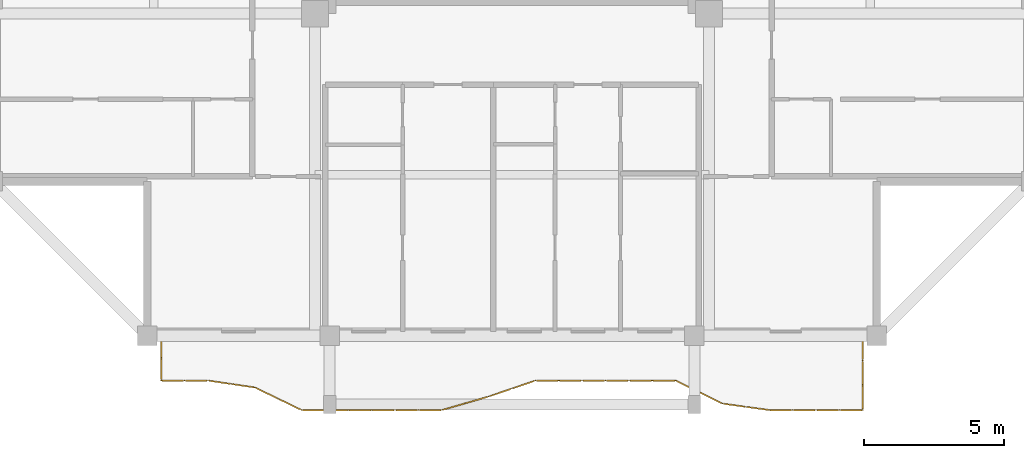
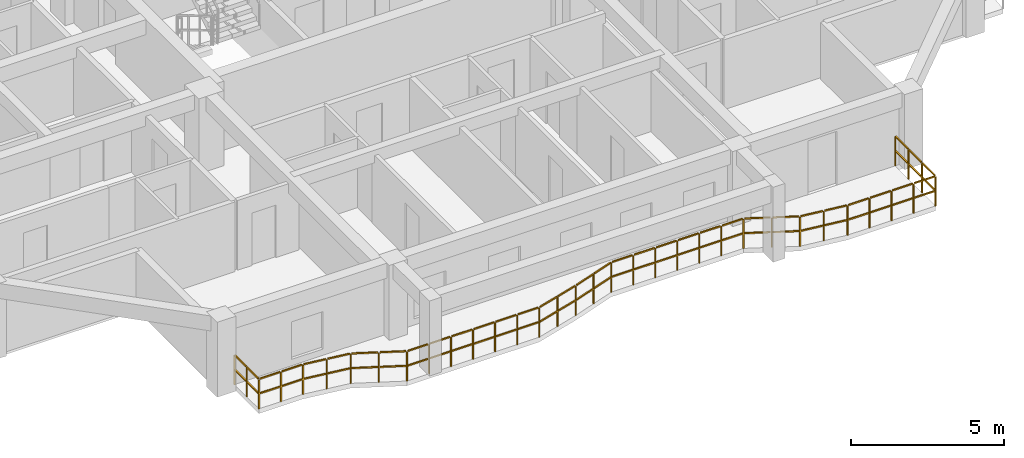
# One storey, part 10 of 14: 1 railing.
"""IFC4 building model written with IfcOpenShell, lengths in metres."""

from ifc_helpers import new_model, si_unit, direction, frame, origin, origin_2d, place, context, subcontext, project, spatial, rectangle, extrude, material, type_object, element, save


model = new_model("IFC4")

# Units and contexts
model_context = context("Model", 3, precision=1e-05, world=origin(), true_north=direction((0.0, 1.0)))
body_context = subcontext(model_context, "Body", "Model", "MODEL_VIEW")
ifc_project = project(units=[si_unit("LENGTHUNIT", "METRE"), si_unit("AREAUNIT", "SQUARE_METRE"), si_unit("VOLUMEUNIT", "CUBIC_METRE"), si_unit("PLANEANGLEUNIT", "RADIAN"), si_unit("MASSUNIT", "GRAM", prefix="KILO")], contexts=[model_context])

# Site, building, storey
site_placement = place(None, origin())
site = spatial("IfcSite", under=ifc_project, at=site_placement, CompositionType="ELEMENT")
building_placement = place(site_placement, origin())
building = spatial("IfcBuilding", under=site, at=building_placement, Name="Saelheon Loggia Tower", CompositionType="ELEMENT")
storey_placement = place(building_placement, frame((0.0, 0.0, 213.300048828125)))
storey = spatial("IfcBuildingStorey", under=building, at=storey_placement, Name="L66", CompositionType="ELEMENT", Elevation=213.300048828125)

# Railing
ifc_material = material(Name="Architectural Precast Concrete and Laminated Glass Guard", Category="concrete")
railing_type = type_object("IfcRailingType", Name="Guard_Loggia_RL_LOG", PredefinedType="BALUSTRADE", material=ifc_material)
railing_placement = place(storey_placement, frame((25.5, 6.0, 0.0)))
element("IfcRailing", 1, at=railing_placement, inside=storey, type_object=railing_type, Name="L66 South Loggia Balustrade", PredefinedType="BALUSTRADE", context=body_context, shape_type="SweptSolid", body=[
    extrude(rectangle(XDim=0.048095703125, YDim=0.048095703125, at=origin_2d()), frame((0.0, -0.033203125, 1.19580078125), z_axis=(0.0, -1.0, 0.0), x_axis=(1.0, 0.0, 0.0)), (0.0, 0.0, 1.0), 0.733642578125),
    extrude(rectangle(XDim=0.048095703125, YDim=0.048095703125, at=origin_2d()), frame((0.0, -0.033203125, 0.60986328125), z_axis=(0.0, -1.0, 0.0), x_axis=(1.0, 0.0, 0.0)), (0.0, 0.0, 1.0), 0.733642578125),
    extrude(rectangle(XDim=0.048095703125, YDim=0.048095703125, at=origin_2d()), frame((0.0, -0.833251953125, 1.19580078125), z_axis=(0.0, -1.0, 0.0), x_axis=(1.0, 0.0, 0.0)), (0.0, 0.0, 1.0), 0.733642578125),
    extrude(rectangle(XDim=0.048095703125, YDim=0.048095703125, at=origin_2d()), frame((0.0, -0.833251953125, 0.60986328125), z_axis=(0.0, -1.0, 0.0), x_axis=(1.0, 0.0, 0.0)), (0.0, 0.0, 1.0), 0.733642578125),
    extrude(rectangle(XDim=0.048095703125, YDim=0.048095703125, at=origin_2d()), frame((0.033203125, -1.60009765625, 1.19580078125), z_axis=(1.0, 0.0, 0.0), x_axis=(0.0, 1.0, 0.0)), (0.0, 0.0, 1.0), 0.766845703125),
    extrude(rectangle(XDim=0.048095703125, YDim=0.048095703125, at=origin_2d()), frame((0.033203125, -1.60009765625, 0.60986328125), z_axis=(1.0, 0.0, 0.0), x_axis=(0.0, 1.0, 0.0)), (0.0, 0.0, 1.0), 0.766845703125),
    extrude(rectangle(XDim=0.048095703125, YDim=0.048095703125, at=origin_2d()), frame((0.86669921875, -1.60009765625, 1.19580078125), z_axis=(1.0, 0.0, 0.0), x_axis=(0.0, 1.0, 0.0)), (0.0, 0.0, 1.0), 0.766845703125),
    extrude(rectangle(XDim=0.048095703125, YDim=0.048095703125, at=origin_2d()), frame((0.86669921875, -1.60009765625, 0.60986328125), z_axis=(1.0, 0.0, 0.0), x_axis=(0.0, 1.0, 0.0)), (0.0, 0.0, 1.0), 0.766845703125),
    extrude(rectangle(XDim=0.048095703125, YDim=0.048095703125, at=origin_2d()), frame((1.69970703125, -1.60498046875, 1.19580078125), z_axis=(0.989417966407, -0.14509337597, 0.0), x_axis=(0.14509337597, 0.989417966407, 0.0)), (0.0, 0.0, 1.0), 0.775634765625),
    extrude(rectangle(XDim=0.048095703125, YDim=0.048095703125, at=origin_2d()), frame((1.69970703125, -1.60498046875, 0.60986328125), z_axis=(0.989417966407, -0.14509337597, 0.0), x_axis=(0.14509337597, 0.989417966407, 0.0)), (0.0, 0.0, 1.0), 0.775634765625),
    extrude(rectangle(XDim=0.048095703125, YDim=0.048095703125, at=origin_2d()), frame((2.532958984375, -1.72705078125, 1.19580078125), z_axis=(0.989417966407, -0.14509337597, 0.0), x_axis=(0.14509337597, 0.989417966407, 0.0)), (0.0, 0.0, 1.0), 0.775634765625),
    extrude(rectangle(XDim=0.048095703125, YDim=0.048095703125, at=origin_2d()), frame((2.532958984375, -1.72705078125, 0.60986328125), z_axis=(0.989417966407, -0.14509337597, 0.0), x_axis=(0.14509337597, 0.989417966407, 0.0)), (0.0, 0.0, 1.0), 0.775634765625),
    extrude(rectangle(XDim=0.048095703125, YDim=0.048095703125, at=origin_2d()), frame((3.36328125, -1.85888671875, 1.19580078125), z_axis=(0.900385982207, -0.43509203974, 0.0), x_axis=(0.43509203974, 0.900385982207, 0.0)), (0.0, 0.0, 1.0), 0.859130859375),
    extrude(rectangle(XDim=0.048095703125, YDim=0.048095703125, at=origin_2d()), frame((3.36328125, -1.85888671875, 0.60986328125), z_axis=(0.900385982207, -0.43509203974, 0.0), x_axis=(0.43509203974, 0.900385982207, 0.0)), (0.0, 0.0, 1.0), 0.859130859375),
    extrude(rectangle(XDim=0.048095703125, YDim=0.048095703125, at=origin_2d()), frame((4.196533203125, -2.26171875, 1.19580078125), z_axis=(0.900385982207, -0.43509203974, 0.0), x_axis=(0.43509203974, 0.900385982207, 0.0)), (0.0, 0.0, 1.0), 0.859130859375),
    extrude(rectangle(XDim=0.048095703125, YDim=0.048095703125, at=origin_2d()), frame((4.196533203125, -2.26171875, 0.60986328125), z_axis=(0.900385982207, -0.43509203974, 0.0), x_axis=(0.43509203974, 0.900385982207, 0.0)), (0.0, 0.0, 1.0), 0.859130859375),
    extrude(rectangle(XDim=0.048095703125, YDim=0.048095703125, at=origin_2d()), frame((5.033203125, -2.64990234375, 1.19580078125), z_axis=(1.0, 0.0, 0.0), x_axis=(0.0, 1.0, 0.0)), (0.0, 0.0, 1.0), 0.766845703125),
    extrude(rectangle(XDim=0.048095703125, YDim=0.048095703125, at=origin_2d()), frame((5.033203125, -2.64990234375, 0.60986328125), z_axis=(1.0, 0.0, 0.0), x_axis=(0.0, 1.0, 0.0)), (0.0, 0.0, 1.0), 0.766845703125),
    extrude(rectangle(XDim=0.048095703125, YDim=0.048095703125, at=origin_2d()), frame((5.86669921875, -2.64990234375, 1.19580078125), z_axis=(1.0, 0.0, 0.0), x_axis=(0.0, 1.0, 0.0)), (0.0, 0.0, 1.0), 0.766845703125),
    extrude(rectangle(XDim=0.048095703125, YDim=0.048095703125, at=origin_2d()), frame((5.86669921875, -2.64990234375, 0.60986328125), z_axis=(1.0, 0.0, 0.0), x_axis=(0.0, 1.0, 0.0)), (0.0, 0.0, 1.0), 0.766845703125),
    extrude(rectangle(XDim=0.048095703125, YDim=0.048095703125, at=origin_2d()), frame((6.699951171875, -2.64990234375, 1.19580078125), z_axis=(1.0, 0.0, 0.0), x_axis=(0.0, 1.0, 0.0)), (0.0, 0.0, 1.0), 0.766845703125),
    extrude(rectangle(XDim=0.048095703125, YDim=0.048095703125, at=origin_2d()), frame((6.699951171875, -2.64990234375, 0.60986328125), z_axis=(1.0, 0.0, 0.0), x_axis=(0.0, 1.0, 0.0)), (0.0, 0.0, 1.0), 0.766845703125),
    extrude(rectangle(XDim=0.048095703125, YDim=0.048095703125, at=origin_2d()), frame((7.533203125, -2.64990234375, 1.19580078125), z_axis=(1.0, 0.0, 0.0), x_axis=(0.0, 1.0, 0.0)), (0.0, 0.0, 1.0), 0.766845703125),
    extrude(rectangle(XDim=0.048095703125, YDim=0.048095703125, at=origin_2d()), frame((7.533203125, -2.64990234375, 0.60986328125), z_axis=(1.0, 0.0, 0.0), x_axis=(0.0, 1.0, 0.0)), (0.0, 0.0, 1.0), 0.766845703125),
    extrude(rectangle(XDim=0.048095703125, YDim=0.048095703125, at=origin_2d()), frame((8.366455078125, -2.64990234375, 1.19580078125), z_axis=(1.0, 0.0, 0.0), x_axis=(0.0, 1.0, 0.0)), (0.0, 0.0, 1.0), 0.766845703125),
    extrude(rectangle(XDim=0.048095703125, YDim=0.048095703125, at=origin_2d()), frame((8.366455078125, -2.64990234375, 0.60986328125), z_axis=(1.0, 0.0, 0.0), x_axis=(0.0, 1.0, 0.0)), (0.0, 0.0, 1.0), 0.766845703125),
    extrude(rectangle(XDim=0.048095703125, YDim=0.048095703125, at=origin_2d()), frame((9.199951171875, -2.64990234375, 1.19580078125), z_axis=(1.0, 0.0, 0.0), x_axis=(0.0, 1.0, 0.0)), (0.0, 0.0, 1.0), 0.766845703125),
    extrude(rectangle(XDim=0.048095703125, YDim=0.048095703125, at=origin_2d()), frame((9.199951171875, -2.64990234375, 0.60986328125), z_axis=(1.0, 0.0, 0.0), x_axis=(0.0, 1.0, 0.0)), (0.0, 0.0, 1.0), 0.766845703125),
    extrude(rectangle(XDim=0.048095703125, YDim=0.048095703125, at=origin_2d()), frame((10.031982421875, -2.640625, 1.19580078125), z_axis=(0.96068582887, 0.277637782388, 0.0), x_axis=(-0.277637782388, 0.96068582887, 0.0)), (0.0, 0.0, 1.0), 0.801025390625),
    extrude(rectangle(XDim=0.048095703125, YDim=0.048095703125, at=origin_2d()), frame((10.031982421875, -2.640625, 0.60986328125), z_axis=(0.96068582887, 0.277637782388, 0.0), x_axis=(-0.277637782388, 0.96068582887, 0.0)), (0.0, 0.0, 1.0), 0.801025390625),
    extrude(rectangle(XDim=0.048095703125, YDim=0.048095703125, at=origin_2d()), frame((10.865234375, -2.39990234375, 1.19580078125), z_axis=(0.96068582887, 0.277637782388, 0.0), x_axis=(-0.277637782388, 0.96068582887, 0.0)), (0.0, 0.0, 1.0), 0.801025390625),
    extrude(rectangle(XDim=0.048095703125, YDim=0.048095703125, at=origin_2d()), frame((10.865234375, -2.39990234375, 0.60986328125), z_axis=(0.96068582887, 0.277637782388, 0.0), x_axis=(-0.277637782388, 0.96068582887, 0.0)), (0.0, 0.0, 1.0), 0.801025390625),
    extrude(rectangle(XDim=0.048095703125, YDim=0.048095703125, at=origin_2d()), frame((11.6982421875, -2.157470703125, 1.19580078125), z_axis=(0.946512113142, 0.322668281172, 0.0), x_axis=(-0.322668281172, 0.946512113142, 0.0)), (0.0, 0.0, 1.0), 0.81396484375),
    extrude(rectangle(XDim=0.048095703125, YDim=0.048095703125, at=origin_2d()), frame((11.6982421875, -2.157470703125, 0.60986328125), z_axis=(0.946512113142, 0.322668281172, 0.0), x_axis=(-0.322668281172, 0.946512113142, 0.0)), (0.0, 0.0, 1.0), 0.81396484375),
    extrude(rectangle(XDim=0.048095703125, YDim=0.048095703125, at=origin_2d()), frame((12.531494140625, -1.87353515625, 1.19580078125), z_axis=(0.946512113142, 0.322668281172, 0.0), x_axis=(-0.322668281172, 0.946512113142, 0.0)), (0.0, 0.0, 1.0), 0.81396484375),
    extrude(rectangle(XDim=0.048095703125, YDim=0.048095703125, at=origin_2d()), frame((12.531494140625, -1.87353515625, 0.60986328125), z_axis=(0.946512113142, 0.322668281172, 0.0), x_axis=(-0.322668281172, 0.946512113142, 0.0)), (0.0, 0.0, 1.0), 0.81396484375),
    extrude(rectangle(XDim=0.048095703125, YDim=0.048095703125, at=origin_2d()), frame((13.366455078125, -1.60009765625, 1.19580078125), z_axis=(1.0, 0.0, 0.0), x_axis=(0.0, 1.0, 0.0)), (0.0, 0.0, 1.0), 0.766845703125),
    extrude(rectangle(XDim=0.048095703125, YDim=0.048095703125, at=origin_2d()), frame((13.366455078125, -1.60009765625, 0.60986328125), z_axis=(1.0, 0.0, 0.0), x_axis=(0.0, 1.0, 0.0)), (0.0, 0.0, 1.0), 0.766845703125),
    extrude(rectangle(XDim=0.048095703125, YDim=0.048095703125, at=origin_2d()), frame((14.199951171875, -1.60009765625, 1.19580078125), z_axis=(1.0, 0.0, 0.0), x_axis=(0.0, 1.0, 0.0)), (0.0, 0.0, 1.0), 0.766845703125),
    extrude(rectangle(XDim=0.048095703125, YDim=0.048095703125, at=origin_2d()), frame((14.199951171875, -1.60009765625, 0.60986328125), z_axis=(1.0, 0.0, 0.0), x_axis=(0.0, 1.0, 0.0)), (0.0, 0.0, 1.0), 0.766845703125),
    extrude(rectangle(XDim=0.048095703125, YDim=0.048095703125, at=origin_2d()), frame((15.033203125, -1.60009765625, 1.19580078125), z_axis=(1.0, 0.0, 0.0), x_axis=(0.0, 1.0, 0.0)), (0.0, 0.0, 1.0), 0.766845703125),
    extrude(rectangle(XDim=0.048095703125, YDim=0.048095703125, at=origin_2d()), frame((15.033203125, -1.60009765625, 0.60986328125), z_axis=(1.0, 0.0, 0.0), x_axis=(0.0, 1.0, 0.0)), (0.0, 0.0, 1.0), 0.766845703125),
    extrude(rectangle(XDim=0.048095703125, YDim=0.048095703125, at=origin_2d()), frame((15.86669921875, -1.60009765625, 1.19580078125), z_axis=(1.0, 0.0, 0.0), x_axis=(0.0, 1.0, 0.0)), (0.0, 0.0, 1.0), 0.766845703125),
    extrude(rectangle(XDim=0.048095703125, YDim=0.048095703125, at=origin_2d()), frame((15.86669921875, -1.60009765625, 0.60986328125), z_axis=(1.0, 0.0, 0.0), x_axis=(0.0, 1.0, 0.0)), (0.0, 0.0, 1.0), 0.766845703125),
    extrude(rectangle(XDim=0.048095703125, YDim=0.048095703125, at=origin_2d()), frame((16.699951171875, -1.60009765625, 1.19580078125), z_axis=(1.0, 0.0, 0.0), x_axis=(0.0, 1.0, 0.0)), (0.0, 0.0, 1.0), 0.766845703125),
    extrude(rectangle(XDim=0.048095703125, YDim=0.048095703125, at=origin_2d()), frame((16.699951171875, -1.60009765625, 0.60986328125), z_axis=(1.0, 0.0, 0.0), x_axis=(0.0, 1.0, 0.0)), (0.0, 0.0, 1.0), 0.766845703125),
    extrude(rectangle(XDim=0.048095703125, YDim=0.048095703125, at=origin_2d()), frame((17.533203125, -1.60009765625, 1.19580078125), z_axis=(1.0, 0.0, 0.0), x_axis=(0.0, 1.0, 0.0)), (0.0, 0.0, 1.0), 0.766845703125),
    extrude(rectangle(XDim=0.048095703125, YDim=0.048095703125, at=origin_2d()), frame((17.533203125, -1.60009765625, 0.60986328125), z_axis=(1.0, 0.0, 0.0), x_axis=(0.0, 1.0, 0.0)), (0.0, 0.0, 1.0), 0.766845703125),
    extrude(rectangle(XDim=0.048095703125, YDim=0.048095703125, at=origin_2d()), frame((18.363037109375, -1.61474609375, 1.19580078125), z_axis=(0.89732607219, -0.441368236475, 0.0), x_axis=(0.441368236475, 0.89732607219, 0.0)), (0.0, 0.0, 1.0), 0.8623046875),
    extrude(rectangle(XDim=0.048095703125, YDim=0.048095703125, at=origin_2d()), frame((18.363037109375, -1.61474609375, 0.60986328125), z_axis=(0.89732607219, -0.441368236475, 0.0), x_axis=(0.441368236475, 0.89732607219, 0.0)), (0.0, 0.0, 1.0), 0.8623046875),
    extrude(rectangle(XDim=0.048095703125, YDim=0.048095703125, at=origin_2d()), frame((19.196533203125, -2.024658203125, 1.19580078125), z_axis=(0.89732607219, -0.441368236475, 0.0), x_axis=(0.441368236475, 0.89732607219, 0.0)), (0.0, 0.0, 1.0), 0.8623046875),
    extrude(rectangle(XDim=0.048095703125, YDim=0.048095703125, at=origin_2d()), frame((19.196533203125, -2.024658203125, 0.60986328125), z_axis=(0.89732607219, -0.441368236475, 0.0), x_axis=(0.441368236475, 0.89732607219, 0.0)), (0.0, 0.0, 1.0), 0.8623046875),
    extrude(rectangle(XDim=0.048095703125, YDim=0.048095703125, at=origin_2d()), frame((20.032958984375, -2.424560546875, 1.19580078125), z_axis=(0.990614355451, -0.136686498145, 0.0), x_axis=(0.136686498145, 0.990614355451, 0.0)), (0.0, 0.0, 1.0), 0.77490234375),
    extrude(rectangle(XDim=0.048095703125, YDim=0.048095703125, at=origin_2d()), frame((20.032958984375, -2.424560546875, 0.60986328125), z_axis=(0.990614355451, -0.136686498145, 0.0), x_axis=(0.136686498145, 0.990614355451, 0.0)), (0.0, 0.0, 1.0), 0.77490234375),
    extrude(rectangle(XDim=0.048095703125, YDim=0.048095703125, at=origin_2d()), frame((20.8662109375, -2.53955078125, 1.19580078125), z_axis=(0.990614355451, -0.136686498145, 0.0), x_axis=(0.136686498145, 0.990614355451, 0.0)), (0.0, 0.0, 1.0), 0.77490234375),
    extrude(rectangle(XDim=0.048095703125, YDim=0.048095703125, at=origin_2d()), frame((20.8662109375, -2.53955078125, 0.60986328125), z_axis=(0.990614355451, -0.136686498145, 0.0), x_axis=(0.136686498145, 0.990614355451, 0.0)), (0.0, 0.0, 1.0), 0.77490234375),
    extrude(rectangle(XDim=0.048095703125, YDim=0.048095703125, at=origin_2d()), frame((21.699951171875, -2.64990234375, 1.19580078125), z_axis=(1.0, 0.0, 0.0), x_axis=(0.0, 1.0, 0.0)), (0.0, 0.0, 1.0), 0.766845703125),
    extrude(rectangle(XDim=0.048095703125, YDim=0.048095703125, at=origin_2d()), frame((21.699951171875, -2.64990234375, 0.60986328125), z_axis=(1.0, 0.0, 0.0), x_axis=(0.0, 1.0, 0.0)), (0.0, 0.0, 1.0), 0.766845703125),
    extrude(rectangle(XDim=0.048095703125, YDim=0.048095703125, at=origin_2d()), frame((22.533203125, -2.64990234375, 1.19580078125), z_axis=(1.0, 0.0, 0.0), x_axis=(0.0, 1.0, 0.0)), (0.0, 0.0, 1.0), 0.766845703125),
    extrude(rectangle(XDim=0.048095703125, YDim=0.048095703125, at=origin_2d()), frame((22.533203125, -2.64990234375, 0.60986328125), z_axis=(1.0, 0.0, 0.0), x_axis=(0.0, 1.0, 0.0)), (0.0, 0.0, 1.0), 0.766845703125),
    extrude(rectangle(XDim=0.048095703125, YDim=0.048095703125, at=origin_2d()), frame((23.366455078125, -2.64990234375, 1.19580078125), z_axis=(1.0, 0.0, 0.0), x_axis=(0.0, 1.0, 0.0)), (0.0, 0.0, 1.0), 0.766845703125),
    extrude(rectangle(XDim=0.048095703125, YDim=0.048095703125, at=origin_2d()), frame((23.366455078125, -2.64990234375, 0.60986328125), z_axis=(1.0, 0.0, 0.0), x_axis=(0.0, 1.0, 0.0)), (0.0, 0.0, 1.0), 0.766845703125),
    extrude(rectangle(XDim=0.048095703125, YDim=0.048095703125, at=origin_2d()), frame((24.199951171875, -2.64990234375, 1.19580078125), z_axis=(1.0, 0.0, 0.0), x_axis=(0.0, 1.0, 0.0)), (0.0, 0.0, 1.0), 0.766845703125),
    extrude(rectangle(XDim=0.048095703125, YDim=0.048095703125, at=origin_2d()), frame((24.199951171875, -2.64990234375, 0.60986328125), z_axis=(1.0, 0.0, 0.0), x_axis=(0.0, 1.0, 0.0)), (0.0, 0.0, 1.0), 0.766845703125),
    extrude(rectangle(XDim=0.048095703125, YDim=0.048095703125, at=origin_2d()), frame((25.0, -2.61669921875, 1.19580078125), z_axis=(0.0, 1.0, 0.0), x_axis=(-1.0, 0.0, 0.0)), (0.0, 0.0, 1.0), 0.81689453125),
    extrude(rectangle(XDim=0.048095703125, YDim=0.048095703125, at=origin_2d()), frame((25.0, -2.61669921875, 0.60986328125), z_axis=(0.0, 1.0, 0.0), x_axis=(-1.0, 0.0, 0.0)), (0.0, 0.0, 1.0), 0.81689453125),
    extrude(rectangle(XDim=0.048095703125, YDim=0.048095703125, at=origin_2d()), frame((25.0, -1.7333984375, 1.19580078125), z_axis=(0.0, 1.0, 0.0), x_axis=(-1.0, 0.0, 0.0)), (0.0, 0.0, 1.0), 0.81689453125),
    extrude(rectangle(XDim=0.048095703125, YDim=0.048095703125, at=origin_2d()), frame((25.0, -1.7333984375, 0.60986328125), z_axis=(0.0, 1.0, 0.0), x_axis=(-1.0, 0.0, 0.0)), (0.0, 0.0, 1.0), 0.81689453125),
    extrude(rectangle(XDim=0.048095703125, YDim=0.048095703125, at=origin_2d()), frame((25.0, -0.85009765625, 1.19580078125), z_axis=(0.0, 1.0, 0.0), x_axis=(-1.0, 0.0, 0.0)), (0.0, 0.0, 1.0), 0.81689453125),
    extrude(rectangle(XDim=0.048095703125, YDim=0.048095703125, at=origin_2d()), frame((25.0, -0.85009765625, 0.60986328125), z_axis=(0.0, 1.0, 0.0), x_axis=(-1.0, 0.0, 0.0)), (0.0, 0.0, 1.0), 0.81689453125),
    extrude(rectangle(XDim=0.0419921875, YDim=0.0419921875, at=origin_2d()), origin(), (0.0, 0.0, 1.0), 1.16796875),
    extrude(rectangle(XDim=0.0419921875, YDim=0.0419921875, at=origin_2d()), frame((0.0, -0.800048828125, 0.0)), (0.0, 0.0, 1.0), 1.16796875),
    extrude(rectangle(XDim=0.0419921875, YDim=0.0419921875, at=origin_2d()), frame((0.0, -1.60009765625, 0.0)), (0.0, 0.0, 1.0), 1.16796875),
    extrude(rectangle(XDim=0.0419921875, YDim=0.0419921875, at=origin_2d()), frame((0.83349609375, -1.60009765625, 0.0)), (0.0, 0.0, 1.0), 1.16796875),
    extrude(rectangle(XDim=0.0419921875, YDim=0.0419921875, at=origin_2d()), frame((1.666748046875, -1.60009765625, 0.0)), (0.0, 0.0, 1.0), 1.16796875),
    extrude(rectangle(XDim=0.0419921875, YDim=0.0419921875, at=origin_2d()), frame((2.5, -1.72216796875, 0.0)), (0.0, 0.0, 1.0), 1.16796875),
    extrude(rectangle(XDim=0.0419921875, YDim=0.0419921875, at=origin_2d()), frame((3.333251953125, -1.844482421875, 0.0)), (0.0, 0.0, 1.0), 1.16796875),
    extrude(rectangle(XDim=0.0419921875, YDim=0.0419921875, at=origin_2d()), frame((4.16650390625, -2.2470703125, 0.0)), (0.0, 0.0, 1.0), 1.16796875),
    extrude(rectangle(XDim=0.0419921875, YDim=0.0419921875, at=origin_2d()), frame((5.0, -2.64990234375, 0.0)), (0.0, 0.0, 1.0), 1.16796875),
    extrude(rectangle(XDim=0.0419921875, YDim=0.0419921875, at=origin_2d()), frame((5.83349609375, -2.64990234375, 0.0)), (0.0, 0.0, 1.0), 1.16796875),
    extrude(rectangle(XDim=0.0419921875, YDim=0.0419921875, at=origin_2d()), frame((6.666748046875, -2.64990234375, 0.0)), (0.0, 0.0, 1.0), 1.16796875),
    extrude(rectangle(XDim=0.0419921875, YDim=0.0419921875, at=origin_2d()), frame((7.5, -2.64990234375, 0.0)), (0.0, 0.0, 1.0), 1.16796875),
    extrude(rectangle(XDim=0.0419921875, YDim=0.0419921875, at=origin_2d()), frame((8.333251953125, -2.64990234375, 0.0)), (0.0, 0.0, 1.0), 1.16796875),
    extrude(rectangle(XDim=0.0419921875, YDim=0.0419921875, at=origin_2d()), frame((9.16650390625, -2.64990234375, 0.0)), (0.0, 0.0, 1.0), 1.16796875),
    extrude(rectangle(XDim=0.0419921875, YDim=0.0419921875, at=origin_2d()), frame((10.0, -2.64990234375, 0.0)), (0.0, 0.0, 1.0), 1.16796875),
    extrude(rectangle(XDim=0.0419921875, YDim=0.0419921875, at=origin_2d()), frame((10.83349609375, -2.4091796875, 0.0)), (0.0, 0.0, 1.0), 1.16796875),
    extrude(rectangle(XDim=0.0419921875, YDim=0.0419921875, at=origin_2d()), frame((11.666748046875, -2.168212890625, 0.0)), (0.0, 0.0, 1.0), 1.16796875),
    extrude(rectangle(XDim=0.0419921875, YDim=0.0419921875, at=origin_2d()), frame((12.5, -1.88427734375, 0.0)), (0.0, 0.0, 1.0), 1.16796875),
    extrude(rectangle(XDim=0.0419921875, YDim=0.0419921875, at=origin_2d()), frame((13.333251953125, -1.60009765625, 0.0)), (0.0, 0.0, 1.0), 1.16796875),
    extrude(rectangle(XDim=0.0419921875, YDim=0.0419921875, at=origin_2d()), frame((14.16650390625, -1.60009765625, 0.0)), (0.0, 0.0, 1.0), 1.16796875),
    extrude(rectangle(XDim=0.0419921875, YDim=0.0419921875, at=origin_2d()), frame((15.0, -1.60009765625, 0.0)), (0.0, 0.0, 1.0), 1.16796875),
    extrude(rectangle(XDim=0.0419921875, YDim=0.0419921875, at=origin_2d()), frame((15.83349609375, -1.60009765625, 0.0)), (0.0, 0.0, 1.0), 1.16796875),
    extrude(rectangle(XDim=0.0419921875, YDim=0.0419921875, at=origin_2d()), frame((16.666748046875, -1.60009765625, 0.0)), (0.0, 0.0, 1.0), 1.16796875),
    extrude(rectangle(XDim=0.0419921875, YDim=0.0419921875, at=origin_2d()), frame((17.5, -1.60009765625, 0.0)), (0.0, 0.0, 1.0), 1.16796875),
    extrude(rectangle(XDim=0.0419921875, YDim=0.0419921875, at=origin_2d()), frame((18.333251953125, -1.60009765625, 0.0)), (0.0, 0.0, 1.0), 1.16796875),
    extrude(rectangle(XDim=0.0419921875, YDim=0.0419921875, at=origin_2d()), frame((19.16650390625, -2.010009765625, 0.0)), (0.0, 0.0, 1.0), 1.16796875),
    extrude(rectangle(XDim=0.0419921875, YDim=0.0419921875, at=origin_2d()), frame((20.0, -2.419921875, 0.0)), (0.0, 0.0, 1.0), 1.16796875),
    extrude(rectangle(XDim=0.0419921875, YDim=0.0419921875, at=origin_2d()), frame((20.83349609375, -2.534912109375, 0.0)), (0.0, 0.0, 1.0), 1.16796875),
    extrude(rectangle(XDim=0.0419921875, YDim=0.0419921875, at=origin_2d()), frame((21.666748046875, -2.64990234375, 0.0)), (0.0, 0.0, 1.0), 1.16796875),
    extrude(rectangle(XDim=0.0419921875, YDim=0.0419921875, at=origin_2d()), frame((22.5, -2.64990234375, 0.0)), (0.0, 0.0, 1.0), 1.16796875),
    extrude(rectangle(XDim=0.0419921875, YDim=0.0419921875, at=origin_2d()), frame((23.333251953125, -2.64990234375, 0.0)), (0.0, 0.0, 1.0), 1.16796875),
    extrude(rectangle(XDim=0.0419921875, YDim=0.0419921875, at=origin_2d()), frame((24.16650390625, -2.64990234375, 0.0)), (0.0, 0.0, 1.0), 1.16796875),
    extrude(rectangle(XDim=0.0419921875, YDim=0.0419921875, at=origin_2d()), frame((25.0, -2.64990234375, 0.0)), (0.0, 0.0, 1.0), 1.16796875),
    extrude(rectangle(XDim=0.0419921875, YDim=0.0419921875, at=origin_2d()), frame((25.0, -1.7666015625, 0.0)), (0.0, 0.0, 1.0), 1.16796875),
    extrude(rectangle(XDim=0.0419921875, YDim=0.0419921875, at=origin_2d()), frame((25.0, -0.88330078125, 0.0)), (0.0, 0.0, 1.0), 1.16796875),
    extrude(rectangle(XDim=0.0419921875, YDim=0.0419921875, at=origin_2d()), frame((25.0, 0.0, 0.0)), (0.0, 0.0, 1.0), 1.16796875),
])

save(model, "model.ifc")
